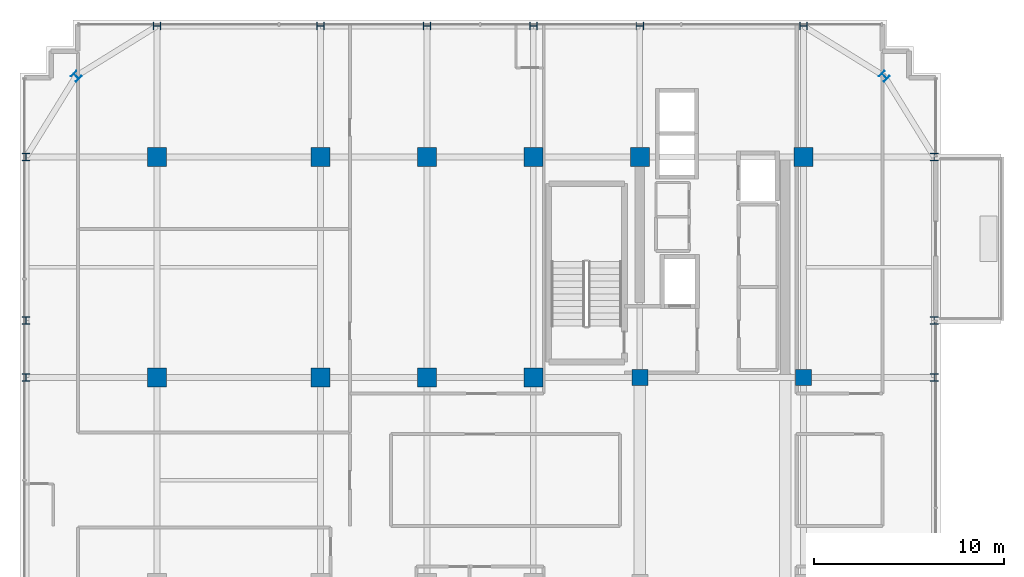
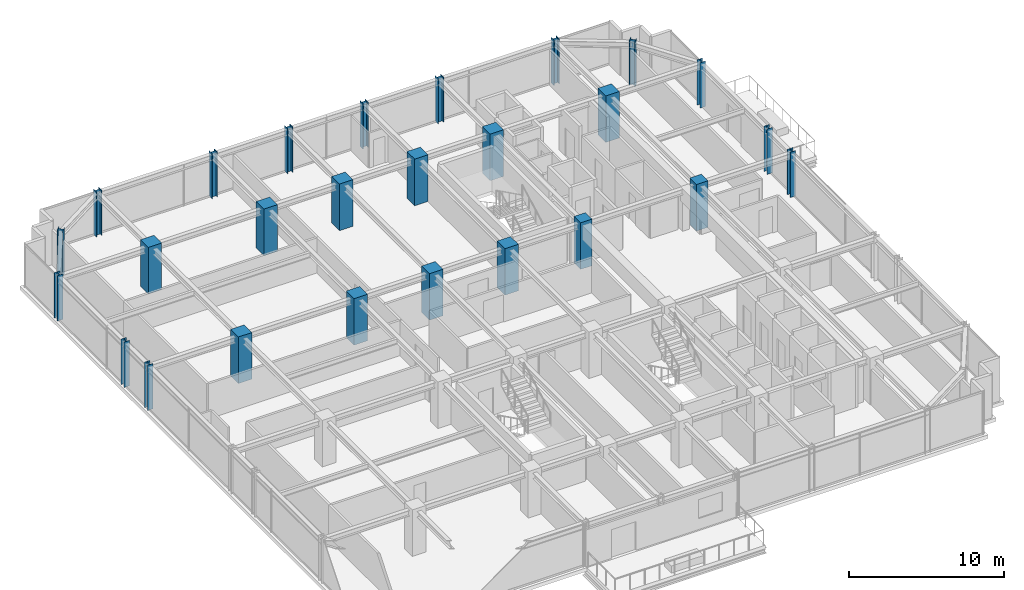
# One storey, part 2 of 36: 26 columns.
"""IFC4 building model written with IfcOpenShell, lengths in metres."""

from ifc_helpers import new_model, si_unit, direction, frame, origin, origin_2d, place, context, subcontext, project, spatial, rectangle, i_section, extrude, source, transform, mapped, material, material_profile, profile_set, type_object, element, save


model = new_model("IFC4")

# Units and contexts
model_context = context("Model", 3, precision=1e-05, world=origin(), true_north=direction((0.0, 1.0)))
body_context = subcontext(model_context, "Body", "Model", "MODEL_VIEW")
ifc_project = project(units=[si_unit("LENGTHUNIT", "METRE"), si_unit("AREAUNIT", "SQUARE_METRE"), si_unit("VOLUMEUNIT", "CUBIC_METRE"), si_unit("PLANEANGLEUNIT", "RADIAN"), si_unit("MASSUNIT", "GRAM", prefix="KILO")], contexts=[model_context])

# Site, building, storey
site_placement = place(None, origin())
site = spatial("IfcSite", under=ifc_project, at=site_placement, CompositionType="ELEMENT")
building_placement = place(site_placement, origin())
building = spatial("IfcBuilding", under=site, at=building_placement, Name="Nahalor Promenade Grand Hotel", CompositionType="ELEMENT")
storey_placement = place(building_placement, frame((0.0, 0.0, 253.0)))
storey = spatial("IfcBuildingStorey", under=building, at=storey_placement, Name="L65", CompositionType="ELEMENT", Elevation=253.0)

# Columns
ifc_material_1 = material(Name="Concrete B-60 (C50/60)", Category="concrete")
ifc_material_profile_1 = material_profile(ifc_material_1, rectangle(XDim=1.0, YDim=1.0, at=origin_2d()), Name="RC 1000x1000")
ifc_profile_set_1 = profile_set([ifc_material_profile_1], Name="Concrete B-60 (C50/60)")
column_type_1 = type_object("IfcColumnType", Name="Col-RC-1000", PredefinedType="COLUMN", material=ifc_profile_set_1)
shared_shape_1 = source(origin(), body_context, "Body", "SweptSolid", [
    extrude(rectangle(XDim=1.0, YDim=1.0, at=origin_2d()), origin(), (0.0, 0.0, 1.0), 3.655029296875),
])
for number, where, z_axis, x_axis, name in (
    (1, (-17.0, 5.39990234375, 0.0), (0.0, 0.0, 1.0), (1.0, 0.0, 0.0), "COL-L65-I02"),
    (2, (-17.0, 17.0, 0.0), (0.0, 0.0, 1.0), (1.0, 0.0, 0.0), "COL-L65-I03"),
    (3, (-8.39990234375, 5.39990234375, 0.0), (0.0, 0.0, 1.0), (1.0, 0.0, 0.0), "COL-L65-I12"),
    (4, (-8.39990234375, 17.0, 0.0), (0.0, 0.0, 1.0), (1.0, 0.0, 0.0), "COL-L65-I13"),
    (5, (-2.800048828125, 5.39990234375, 0.0), (0.0, 0.0, 1.0), (1.0, 0.0, 0.0), "COL-L65-I22"),
    (6, (-2.800048828125, 17.0, 0.0), (0.0, 0.0, 1.0), (1.0, 0.0, 0.0), "COL-L65-I23"),
    (7, (2.800048828125, 5.39990234375, 0.0), (0.0, 0.0, 1.0), (1.0, 0.0, 0.0), "COL-L65-I32"),
    (8, (2.800048828125, 17.0, 0.0), (0.0, 0.0, 1.0), (1.0, 0.0, 0.0), "COL-L65-I33"),
    (9, (8.39990234375, 17.0, 0.0), (0.0, 0.0, 1.0), (1.0, 0.0, 0.0), "COL-L65-I43"),
    (10, (17.0, 17.0, 0.0), (0.0, 0.0, 1.0), (1.0, 0.0, 0.0), "COL-L65-I53"),
):
    element("IfcColumn", number, at=place(storey_placement, frame(where, z_axis=z_axis, x_axis=x_axis)), inside=storey, type_object=column_type_1, Name=name, PredefinedType="COLUMN", context=body_context, shape_type="MappedRepresentation", body=[
        mapped(shared_shape_1, transform((0.0, 0.0, 0.0), scale=1.0)),
    ])
ifc_material_2 = material(Name="Concrete B-70 (C60/75)", Category="concrete")
ifc_material_profile_2 = material_profile(ifc_material_2, rectangle(XDim=0.85, YDim=0.85, at=origin_2d()), Name="RC 850x850")
ifc_profile_set_2 = profile_set([ifc_material_profile_2], Name="Concrete B-70 (C60/75)")
column_type_2 = type_object("IfcColumnType", Name="Col-Pilaster-850", PredefinedType="PILASTER", material=ifc_profile_set_2)
shared_shape_2 = source(origin(), body_context, "Body", "SweptSolid", [
    extrude(rectangle(XDim=0.85, YDim=0.85, at=origin_2d()), origin(), (0.0, 0.0, 1.0), 3.655029296875),
])
for number, where, z_axis, x_axis, name in (
    (11, (8.39990234375, 5.39990234375, 0.0), (0.0, 0.0, 1.0), (1.0, 0.0, 0.0), "COL-L65-I42"),
    (12, (17.0, 5.39990234375, 0.0), (0.0, 0.0, 1.0), (1.0, 0.0, 0.0), "COL-L65-I52"),
):
    element("IfcColumn", number, at=place(storey_placement, frame(where, z_axis=z_axis, x_axis=x_axis)), inside=storey, type_object=column_type_2, Name=name, PredefinedType="PILASTER", context=body_context, shape_type="MappedRepresentation", body=[
        mapped(shared_shape_2, transform((0.0, 0.0, 0.0), scale=1.0)),
    ])
ifc_material_3 = material(Name="Steel S355JR", Category="steel")
ifc_material_profile_3 = material_profile(ifc_material_3, i_section(OverallWidth=0.401, OverallDepth=0.406, WebThickness=0.0161, FlangeThickness=0.025, at=origin_2d()), Name="HD 400x314")
ifc_profile_set_3 = profile_set([ifc_material_profile_3], Name="Steel S355JR")
column_type_3 = type_object("IfcColumnType", Name="Col-Steel-HD314", PredefinedType="COLUMN", material=ifc_profile_set_3)
shared_shape_3 = source(origin(), body_context, "Body", "SweptSolid", [
    extrude(i_section(OverallWidth=0.401, OverallDepth=0.406, WebThickness=0.0161, FlangeThickness=0.025, at=origin_2d()), origin(), (0.0, 0.0, 1.0), 3.554931640625),
])
for number, where, z_axis, x_axis, name in (
    (13, (-23.8798828125, 5.39990234375, 0.0), (0.0, 0.0, 1.0), (1.0, 0.0, 0.0), "COL-L65-PW-W3"),
    (14, (23.8798828125, 5.39990234375, 0.0), (0.0, 0.0, 1.0), (1.0, 0.0, 0.0), "COL-L65-PW-E3"),
    (15, (-23.8798828125, 8.39990234375, 0.0), (0.0, 0.0, 1.0), (1.0, 0.0, 0.0), "COL-L65-PW-W4"),
    (16, (23.8798828125, 8.39990234375, 0.0), (0.0, 0.0, 1.0), (1.0, 0.0, 0.0), "COL-L65-PW-E4"),
    (17, (-23.8798828125, 17.0, 0.0), (0.0, 0.0, 1.0), (1.0, 0.0, 0.0), "COL-L65-PW-W5"),
    (18, (23.8798828125, 17.0, 0.0), (0.0, 0.0, 1.0), (1.0, 0.0, 0.0), "COL-L65-PW-E5"),
    (19, (-17.0, 23.8798828125, 0.0), (0.0, 0.0, 1.0), (0.0, 1.0, 0.0), "COL-L65-PN-N0"),
    (20, (-8.39990234375, 23.8798828125, 0.0), (0.0, 0.0, 1.0), (0.0, 1.0, 0.0), "COL-L65-PN-N1"),
    (21, (-2.800048828125, 23.8798828125, 0.0), (0.0, 0.0, 1.0), (0.0, 1.0, 0.0), "COL-L65-PN-N2"),
    (22, (2.800048828125, 23.8798828125, 0.0), (0.0, 0.0, 1.0), (0.0, 1.0, 0.0), "COL-L65-PN-N3"),
    (23, (8.39990234375, 23.8798828125, 0.0), (0.0, 0.0, 1.0), (0.0, 1.0, 0.0), "COL-L65-PN-N4"),
    (24, (17.0, 23.8798828125, 0.0), (0.0, 0.0, 1.0), (0.0, 1.0, 0.0), "COL-L65-PN-N5"),
    (25, (-21.25, 21.25, 0.0), (0.0, 0.0, 1.0), (0.707106781187, 0.707106781187, 0.0), "COL-L65-CRN-NW"),
    (26, (21.25, 21.25, 0.0), (0.0, 0.0, 1.0), (0.707106781187, 0.707106781187, 0.0), "COL-L65-CRN-NE"),
):
    element("IfcColumn", number, at=place(storey_placement, frame(where, z_axis=z_axis, x_axis=x_axis)), inside=storey, type_object=column_type_3, Name=name, PredefinedType="COLUMN", context=body_context, shape_type="MappedRepresentation", body=[
        mapped(shared_shape_3, transform((0.0, 0.0, 0.0), scale=1.0)),
    ])

save(model, "model.ifc")
